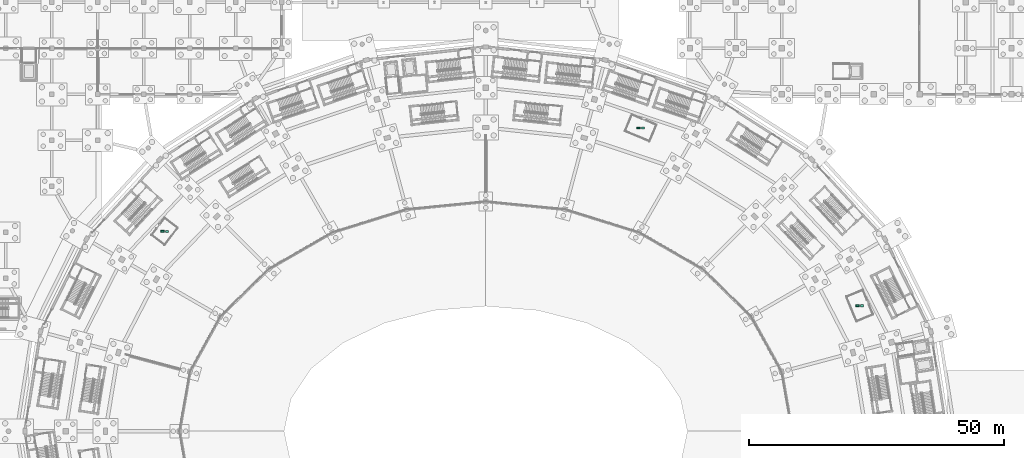
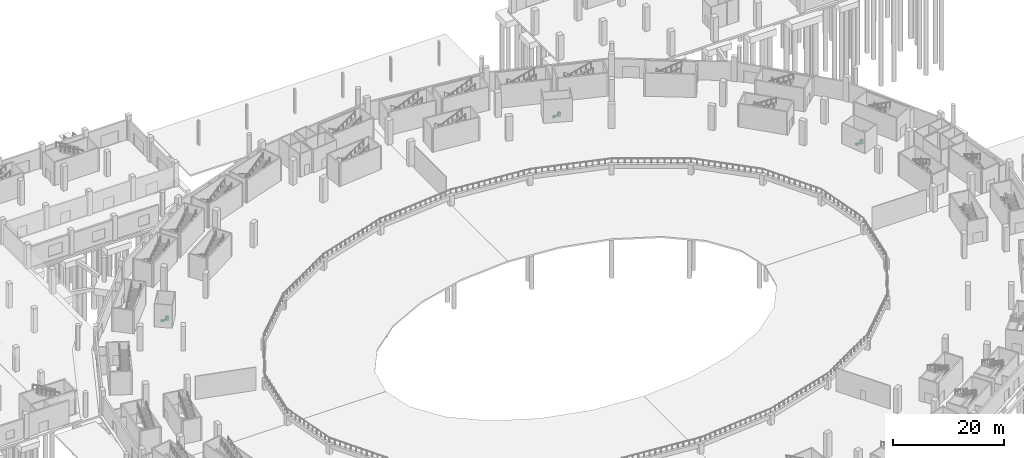
# One storey, part 102 of 103: 6 sanitary terminals.
"""IFC4 building model written with IfcOpenShell, lengths in metres."""

from ifc_helpers import new_model, si_unit, direction, frame, origin, origin_2d, place, context, subcontext, project, spatial, rectangle, extrude, material, type_object, element, save


model = new_model("IFC4")

# Units and contexts
model_context = context("Model", 3, precision=1e-05, world=origin(), true_north=direction((0.0, 1.0)))
body_context = subcontext(model_context, "Body", "Model", "MODEL_VIEW")
ifc_project = project(units=[si_unit("LENGTHUNIT", "METRE"), si_unit("AREAUNIT", "SQUARE_METRE"), si_unit("VOLUMEUNIT", "CUBIC_METRE"), si_unit("PLANEANGLEUNIT", "RADIAN"), si_unit("MASSUNIT", "GRAM", prefix="KILO")], contexts=[model_context])

# Site, building, storey
site_placement = place(None, origin())
site = spatial("IfcSite", under=ifc_project, at=site_placement, CompositionType="ELEMENT")
building_placement = place(site_placement, origin())
building = spatial("IfcBuilding", under=site, at=building_placement, Name="Zevraka Park Crest Stadium", CompositionType="ELEMENT")
storey_placement = place(building_placement, origin())
storey = spatial("IfcBuildingStorey", under=building, at=storey_placement, Name="L00", CompositionType="ELEMENT", Elevation=0.0)

# Sanitary terminals
ifc_material_1 = material(Name="Vitreous china sanitaryware", Category="other")
sanitary_terminal_type_1 = type_object("IfcSanitaryTerminalType", Name="SAN02", PredefinedType="WASHHANDBASIN", material=ifc_material_1)
for number, where, z_axis, x_axis, name in (
    (1, (185.712890625, 116.60693359375, 0.0), (0.0, 0.0, 1.0), (1.0, 0.0, 0.0), "Washhand Basin L00-001"),
    (2, (142.797119140625, 151.406005859375, 0.0), (0.0, 0.0, 1.0), (1.0, 0.0, 0.0), "Washhand Basin L00-002"),
    (3, (49.537109375, 131.14306640625, 0.0), (0.0, 0.0, 1.0), (1.0, 0.0, 0.0), "Washhand Basin L00-003"),
):
    element("IfcSanitaryTerminal", number, at=place(storey_placement, frame(where, z_axis=z_axis, x_axis=x_axis)), inside=storey, type_object=sanitary_terminal_type_1, Name=name, PredefinedType="WASHHANDBASIN", context=body_context, shape_type="SweptSolid", body=[
        extrude(rectangle(XDim=0.550048828125, YDim=0.449951171875, at=origin_2d()), origin(), (0.0, 0.0, 1.0), 0.85009765625),
    ])
ifc_material_2 = material(Name="Vitreous china sanitaryware", Category="other")
sanitary_terminal_type_2 = type_object("IfcSanitaryTerminalType", Name="WC01", PredefinedType="TOILETPAN", material=ifc_material_2)
for number, where, z_axis, x_axis, name in (
    (4, (184.81396484375, 116.60693359375, 0.0), (0.0, 0.0, 1.0), (1.0, 0.0, 0.0), "WC Pan L00-001"),
    (5, (141.89697265625, 151.406005859375, 0.0), (0.0, 0.0, 1.0), (1.0, 0.0, 0.0), "WC Pan L00-002"),
    (6, (48.636962890625, 131.14306640625, 0.0), (0.0, 0.0, 1.0), (1.0, 0.0, 0.0), "WC Pan L00-003"),
):
    element("IfcSanitaryTerminal", number, at=place(storey_placement, frame(where, z_axis=z_axis, x_axis=x_axis)), inside=storey, type_object=sanitary_terminal_type_2, Name=name, PredefinedType="TOILETPAN", context=body_context, shape_type="SweptSolid", body=[
        extrude(rectangle(XDim=0.679931640625, YDim=0.3798828125, at=origin_2d()), origin(), (0.0, 0.0, 1.0), 0.419921875),
    ])

save(model, "model.ifc")
